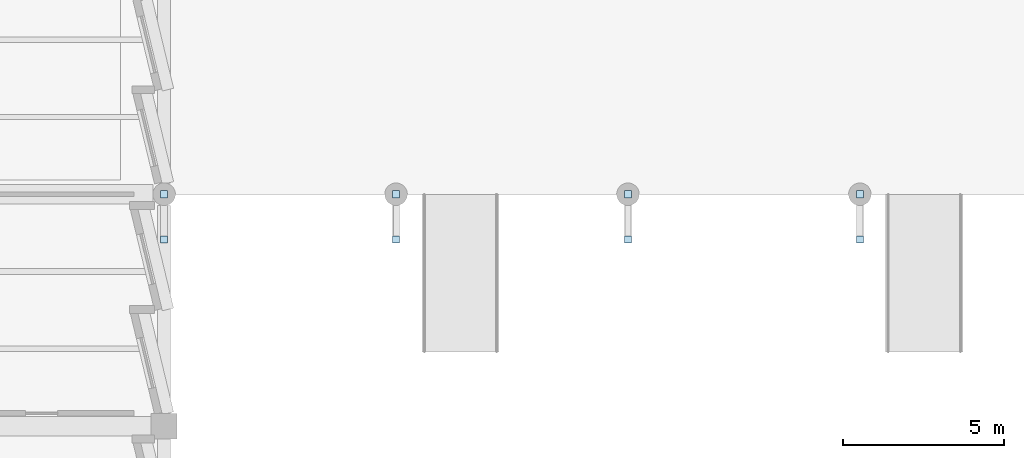
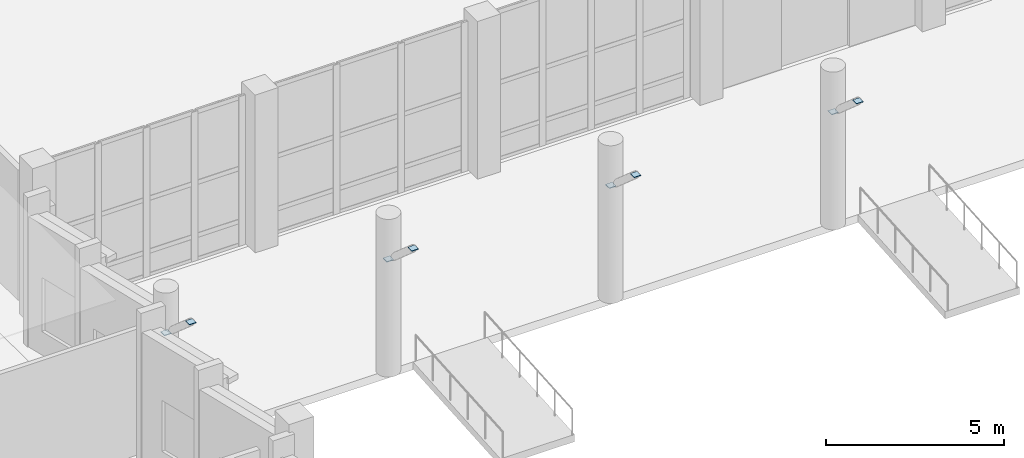
# One storey, part 97 of 137: 8 plates.
"""IFC4 building model written with IfcOpenShell, lengths in metres."""

import ifcopenshell
import ifcopenshell.guid

model = None  # the IFC model being written
_history = None  # IfcOwnerHistory: only IFC2X3 demands one
_inside = {}  # id of a spatial element -> (the spatial element, [elements in it])
_under = {}  # id of a project, library or spatial element -> (it, [spatial elements below it])
_declared = {}  # id of a project -> (the project, [libraries it declares])
_typed = {}  # id of a type object -> (the type object, [elements of that type])
_made_of = {}  # id of a material, layer set ... -> (it, [elements and type objects made of it])


def new_model(schema):
    """Start an empty IFC model of exactly this schema.

    Asked for "IFC4X3", IfcOpenShell would pick the latest addendum, in which some entities
    have other attributes; the version numbers below select the first issue.
    IFC2X3 requires an IfcOwnerHistory on every rooted entity: one is made here for all.
    """
    global model, _history
    if schema == "IFC4X3":
        model = ifcopenshell.file(schema_version=(4, 3, 0, 0))
    else:
        model = ifcopenshell.file(schema=schema)
    _inside.clear()
    _under.clear()
    _declared.clear()
    _typed.clear()
    _made_of.clear()
    _history = None
    if model.schema == "IFC2X3":
        org = make("IfcOrganization", Name="unknown")
        user = make(
            "IfcPersonAndOrganization",
            ThePerson=make("IfcPerson", FamilyName="unknown"),
            TheOrganization=org,
        )
        app = make(
            "IfcApplication",
            ApplicationDeveloper=org,
            Version="unknown",
            ApplicationFullName="unknown",
            ApplicationIdentifier="unknown",
        )
        _history = make(
            "IfcOwnerHistory",
            OwningUser=user,
            OwningApplication=app,
            ChangeAction="ADDED",
            CreationDate=0,
        )
    return model


def make(cls, **values):
    """One entity of the class cls with the attributes given. An attribute that is None is left unset."""
    return model.create_entity(
        cls, **{name: value for name, value in values.items() if value is not None}
    )


def rooted(cls, **values):
    """An entity with a GlobalId (a new one), such as an element, a storey or a relation."""
    return make(cls, GlobalId=ifcopenshell.guid.new(), OwnerHistory=_history, **values)


def si_unit(unit_type, name, prefix=None):
    """IfcSIUnit, for example si_unit("LENGTHUNIT", "METRE", prefix="MILLI")."""
    return make("IfcSIUnit", UnitType=unit_type, Prefix=prefix, Name=name)


def assignment(units):
    """IfcUnitAssignment: the units of a project."""
    return None if units is None else make("IfcUnitAssignment", Units=units)


def point(xyz):
    """IfcCartesianPoint."""
    return None if xyz is None else make("IfcCartesianPoint", Coordinates=xyz)


def direction(xyz):
    """IfcDirection."""
    return None if xyz is None else make("IfcDirection", DirectionRatios=xyz)


def frame(location, z_axis=None, x_axis=None):
    """IfcAxis2Placement3D, a coordinate frame: its origin and axes. An axis left out is left unset."""
    return make(
        "IfcAxis2Placement3D",
        Location=point(location),
        Axis=direction(z_axis),
        RefDirection=direction(x_axis),
    )


def frame_2d(location, x_axis=None):
    """IfcAxis2Placement2D, a coordinate frame in the plane: its origin and x axis."""
    return make(
        "IfcAxis2Placement2D", Location=point(location), RefDirection=direction(x_axis)
    )


def origin():
    """The frame at (0, 0, 0) with its axes left unset."""
    return frame((0.0, 0.0, 0.0))


def origin_2d():
    """The frame at (0, 0) in the plane with its x axis left unset."""
    return frame_2d((0.0, 0.0))


def place(relative_to, where):
    """IfcLocalPlacement: puts the frame where relative to a parent placement (None: the world)."""
    return make(
        "IfcLocalPlacement", PlacementRelTo=relative_to, RelativePlacement=where
    )


def context(
    kind, dimensions, precision=None, world=None, true_north=None, identifier=None
):
    """IfcGeometricRepresentationContext, for example the 3D "Model" context."""
    return make(
        "IfcGeometricRepresentationContext",
        ContextIdentifier=identifier,
        ContextType=kind,
        CoordinateSpaceDimension=dimensions,
        Precision=precision,
        WorldCoordinateSystem=world,
        TrueNorth=true_north,
    )


def subcontext(parent, identifier, kind, view, scale=None):
    """IfcGeometricRepresentationSubContext, for example "Body" below "Model"."""
    return make(
        "IfcGeometricRepresentationSubContext",
        ContextIdentifier=identifier,
        ContextType=kind,
        ParentContext=parent,
        TargetScale=scale,
        TargetView=view,
    )


def project(units=None, contexts=None):
    """IfcProject with its units and contexts."""
    return rooted(
        "IfcProject",
        Name="project",
        RepresentationContexts=contexts,
        UnitsInContext=assignment(units),
    )


def spatial(cls, under=None, at=None, **own):
    """A site, building, storey or space (cls), placed at a placement, below another one or the project."""
    s = rooted(cls, ObjectPlacement=at, **own)
    if under is not None:
        _under.setdefault(under.id(), (under, []))[1].append(s)
    return s


def profile(cls, at=None, kind="AREA", **sizes):
    """A parametric profile (cls). Its sizes go by their IFC names, for example OverallWidth=200.0."""
    return make(cls, ProfileType=kind, Position=at, **sizes)


def rectangle(**sizes):
    """IfcRectangleProfileDef."""
    return profile("IfcRectangleProfileDef", **sizes)


def extrude(swept, where, along, depth):
    """IfcExtrudedAreaSolid: the profile swept, set in the frame where, extruded along a direction by depth."""
    return make(
        "IfcExtrudedAreaSolid",
        SweptArea=swept,
        Position=where,
        ExtrudedDirection=direction(along),
        Depth=depth,
    )


def shape(context_of_items, identifier, shape_type, items):
    """IfcShapeRepresentation: the items that make up one representation, for example the "Body"."""
    return make(
        "IfcShapeRepresentation",
        ContextOfItems=context_of_items,
        RepresentationIdentifier=identifier,
        RepresentationType=shape_type,
        Items=items,
    )


def material(Name=None, Category=None):
    """IfcMaterial."""
    return make("IfcMaterial", Name=Name, Category=Category)


def layer(
    of_material, thickness, ventilated=None, Name=None, Category=None, Priority=None
):
    """IfcMaterialLayer: one layer of a wall or slab, of a material (None: an air gap)."""
    return make(
        "IfcMaterialLayer",
        Material=of_material,
        LayerThickness=thickness,
        IsVentilated=ventilated,
        Name=Name,
        Category=Category,
        Priority=Priority,
    )


def layer_set(layers, Name=None):
    """IfcMaterialLayerSet."""
    return make("IfcMaterialLayerSet", MaterialLayers=layers, LayerSetName=Name)


def made_of(thing, what):
    """Note that an element or type object is made of a material, layer set ...; save() writes the relation."""
    if what is not None:
        _made_of.setdefault(what.id(), (what, []))[1].append(thing)
    return thing


def type_object(cls, material=None, **own):
    """A type object (cls), such as IfcWallType, which elements share."""
    return made_of(rooted(cls, **own), material)


def element(
    cls,
    number,
    at=None,
    inside=None,
    cuts=None,
    type_object=None,
    material=None,
    context=None,
    identifier="Body",
    shape_type=None,
    held_by="IfcProductDefinitionShape",
    body=None,
    shapes=None,
    **own,
):
    """One element of the class cls, such as IfcWall. Its Tag is "e" and its number.

    at: its placement. inside: the storey or other place that contains it. cuts: it is an
    opening in that element (IfcRelVoidsElement). A single representation is given by context,
    identifier, shape_type and body (its items); several are given by shapes. held_by: the class
    of the entity that holds the representations. save() writes the other relations.
    """
    e = rooted(cls, Tag="e%d" % number, ObjectPlacement=at, **own)
    if body is not None:
        shapes = [shape(context, identifier, shape_type, body)]
    if shapes is not None:
        e.Representation = make(held_by, Representations=shapes)
    if inside is not None:
        _inside.setdefault(inside.id(), (inside, []))[1].append(e)
    if cuts is not None:
        rooted(
            "IfcRelVoidsElement", RelatingBuildingElement=cuts, RelatedOpeningElement=e
        )
    if type_object is not None:
        _typed.setdefault(type_object.id(), (type_object, []))[1].append(e)
    return made_of(e, material)


def aggregate(whole, parts):
    """IfcRelAggregates: a whole, such as a stair, and the parts it consists of."""
    return rooted("IfcRelAggregates", RelatingObject=whole, RelatedObjects=parts)


def save(model, path):
    """Write the relations noted so far, then the file.

    IfcRelAggregates (storeys below a building ...), IfcRelContainedInSpatialStructure (elements
    in a storey), IfcRelDefinesByType, IfcRelAssociatesMaterial and IfcRelDeclares: one each for
    every whole, place, type object, material and project.
    """
    for whole, parts in _under.values():
        aggregate(whole, parts)
    for where, things in _inside.values():
        rooted(
            "IfcRelContainedInSpatialStructure",
            RelatedElements=things,
            RelatingStructure=where,
        )
    for kind, things in _typed.values():
        rooted("IfcRelDefinesByType", RelatedObjects=things, RelatingType=kind)
    for what, things in _made_of.values():
        rooted("IfcRelAssociatesMaterial", RelatedObjects=things, RelatingMaterial=what)
    for by, libraries in _declared.values():
        rooted("IfcRelDeclares", RelatingContext=by, RelatedDefinitions=libraries)
    model.write(path)


model = new_model("IFC4")

# Units and contexts
model_context = context("Model", 3, precision=1e-05, world=origin(), true_north=direction((0.0, 1.0)))
body_context = subcontext(model_context, "Body", "Model", "MODEL_VIEW")
ifc_project = project(units=[si_unit("LENGTHUNIT", "METRE"), si_unit("AREAUNIT", "SQUARE_METRE"), si_unit("VOLUMEUNIT", "CUBIC_METRE"), si_unit("PLANEANGLEUNIT", "RADIAN"), si_unit("MASSUNIT", "GRAM", prefix="KILO")], contexts=[model_context])

# Site, building, storey
site_placement = place(None, origin())
site = spatial("IfcSite", under=ifc_project, at=site_placement, CompositionType="ELEMENT")
building_placement = place(site_placement, origin())
building = spatial("IfcBuilding", under=site, at=building_placement, Name="Kalmorath City Hall", CompositionType="ELEMENT")
storey_placement = place(building_placement, origin())
storey = spatial("IfcBuildingStorey", under=building, at=storey_placement, Name="L00", CompositionType="ELEMENT", Elevation=0.0)

# Plates
ifc_material = material(Name="Steel ASTM A572 Grade 50", Category="steel")
ifc_layer = layer(ifc_material, 0.02001953125)
ifc_layer_set = layer_set([ifc_layer], Name="Steel ASTM A572 Grade 50")
plate_type = type_object("IfcPlateType", Name="Steel HSS end-cap plate 220x220x20", PredefinedType="SHEET", material=ifc_layer_set)
for number, where, z_axis, x_axis, name in (
    (1, (36.0, 13.0, 5.010009765625), (0.0, 0.0, 1.0), (1.0, 0.0, 0.0), "Arcade strut end-cap GP5-1"),
    (2, (36.0, 14.39990234375, 3.7900390625), (0.0, 0.0, 1.0), (1.0, 0.0, 0.0), "Arcade strut base-cap GP5-1"),
    (3, (43.199951171875, 13.0, 5.010009765625), (0.0, 0.0, 1.0), (1.0, 0.0, 0.0), "Arcade strut end-cap GP5-2"),
    (4, (43.199951171875, 14.39990234375, 3.7900390625), (0.0, 0.0, 1.0), (1.0, 0.0, 0.0), "Arcade strut base-cap GP5-2"),
    (5, (50.39990234375, 13.0, 5.010009765625), (0.0, 0.0, 1.0), (1.0, 0.0, 0.0), "Arcade strut end-cap GP5-3"),
    (6, (50.39990234375, 14.39990234375, 3.7900390625), (0.0, 0.0, 1.0), (1.0, 0.0, 0.0), "Arcade strut base-cap GP5-3"),
    (7, (57.60009765625, 13.0, 5.010009765625), (0.0, 0.0, 1.0), (1.0, 0.0, 0.0), "Arcade strut end-cap GP5-4"),
    (8, (57.60009765625, 14.39990234375, 3.7900390625), (0.0, 0.0, 1.0), (1.0, 0.0, 0.0), "Arcade strut base-cap GP5-4"),
):
    element("IfcPlate", number, at=place(storey_placement, frame(where, z_axis=z_axis, x_axis=x_axis)), inside=storey, type_object=plate_type, Name=name, PredefinedType="SHEET", context=body_context, shape_type="SweptSolid", body=[
        extrude(rectangle(XDim=0.219970703125, YDim=0.219970703125, at=origin_2d()), origin(), (0.0, 0.0, 1.0), 0.02001953125),
    ])

save(model, "model.ifc")
